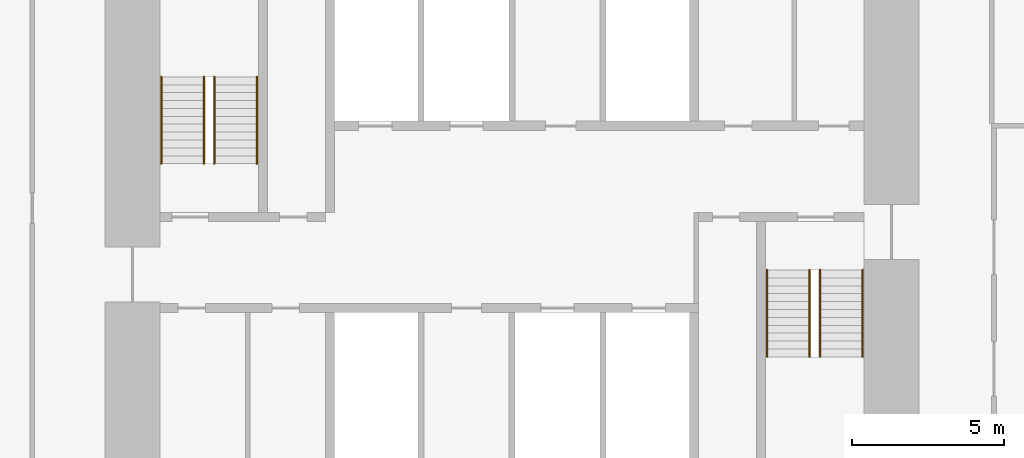
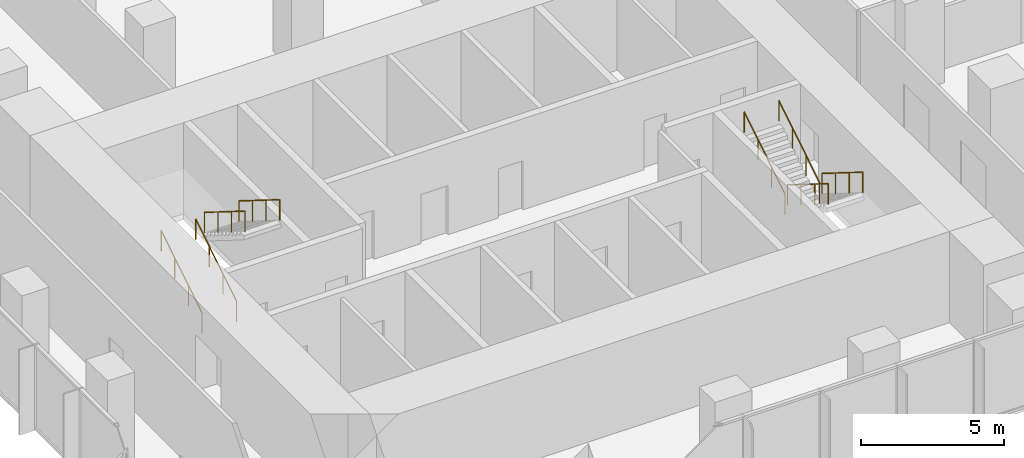
# One storey, part 11 of 11: 8 railings.
"""IFC4 building model written with IfcOpenShell, lengths in metres."""

from ifc_helpers import new_model, si_unit, direction, frame, origin, origin_2d, place, context, subcontext, project, spatial, circle, extrude, material, type_object, element, save


model = new_model("IFC4")

# Units and contexts
model_context = context("Model", 3, precision=1e-05, world=origin(), true_north=direction((0.0, 1.0)))
body_context = subcontext(model_context, "Body", "Model", "MODEL_VIEW")
ifc_project = project(units=[si_unit("LENGTHUNIT", "METRE"), si_unit("AREAUNIT", "SQUARE_METRE"), si_unit("VOLUMEUNIT", "CUBIC_METRE"), si_unit("PLANEANGLEUNIT", "RADIAN"), si_unit("MASSUNIT", "GRAM", prefix="KILO")], contexts=[model_context])

# Site, building, storey
site_placement = place(None, origin())
site = spatial("IfcSite", under=ifc_project, at=site_placement, CompositionType="ELEMENT")
building_placement = place(site_placement, origin())
building = spatial("IfcBuilding", under=site, at=building_placement, Name="Highveld Stack Headquarters", CompositionType="ELEMENT")
storey_placement = place(building_placement, frame((0.0, 0.0, 169.39990234375)))
storey = spatial("IfcBuildingStorey", under=building, at=storey_placement, Name="L41", CompositionType="ELEMENT", Elevation=169.39990234375)

# Railings
ifc_material = material(Name="Stainless steel handrail", Category="steel")
railing_type = type_object("IfcRailingType", Name="STAIR HANDRAIL HR1 900", PredefinedType="HANDRAIL", material=ifc_material)
for number, where, name in (
    (1, (-5.550048828125, 4.75, 0.16259765625), "Handrail S1 L41 flight 1"),
    (2, (-4.14990234375, 4.75, 0.16259765625), "Handrail S1 L41 flight 1"),
):
    element("IfcRailing", number, at=place(storey_placement, frame(where)), inside=storey, type_object=railing_type, Name=name, PredefinedType="HANDRAIL", context=body_context, shape_type="SweptSolid", body=[
        extrude(circle(Radius=0.02392578125, at=origin_2d()), frame((0.0, 0.0, 0.8759765625), z_axis=(0.0, 0.847994237388, 0.530005446535), x_axis=(-1.0, 0.0, 0.0)), (0.0, 0.0, 1.0), 3.372802734375),
        extrude(circle(Radius=0.02099609375, at=origin_2d()), origin(), (0.0, 0.0, 1.0), 0.851806640625),
        extrude(circle(Radius=0.02099609375, at=origin_2d()), frame((0.0, 0.953369140625, 0.595947265625)), (0.0, 0.0, 1.0), 0.851806640625),
        extrude(circle(Radius=0.02099609375, at=origin_2d()), frame((0.0, 1.90673828125, 1.191650390625)), (0.0, 0.0, 1.0), 0.851806640625),
        extrude(circle(Radius=0.02099609375, at=origin_2d()), frame((0.0, 2.860107421875, 1.78759765625)), (0.0, 0.0, 1.0), 0.851806640625),
    ])
for number, where, name in (
    (3, (-3.800048828125, 7.610107421875, 2.112548828125), "Handrail S1 L41 flight 2"),
    (4, (-2.39990234375, 7.610107421875, 2.112548828125), "Handrail S1 L41 flight 2"),
    (5, (16.14990234375, 1.25, 0.16259765625), "Handrail S2 L41 flight 1"),
    (6, (17.550048828125, 1.25, 0.16259765625), "Handrail S2 L41 flight 1"),
):
    element("IfcRailing", number, at=place(storey_placement, frame(where)), inside=storey, type_object=railing_type, Name=name, PredefinedType="HANDRAIL", context=body_context, shape_type="SweptSolid", body=[
        extrude(circle(Radius=0.02392578125, at=origin_2d()), frame((0.0, 0.0, 0.8759765625), z_axis=(0.0, -0.847994237388, 0.530005446535), x_axis=(1.0, 0.0, 0.0)), (0.0, 0.0, 1.0), 3.372802734375),
        extrude(circle(Radius=0.02099609375, at=origin_2d()), origin(), (0.0, 0.0, 1.0), 0.851806640625),
        extrude(circle(Radius=0.02099609375, at=origin_2d()), frame((0.0, -0.953369140625, 0.595947265625)), (0.0, 0.0, 1.0), 0.851806640625),
        extrude(circle(Radius=0.02099609375, at=origin_2d()), frame((0.0, -1.90673828125, 1.191650390625)), (0.0, 0.0, 1.0), 0.851806640625),
        extrude(circle(Radius=0.02099609375, at=origin_2d()), frame((0.0, -2.860107421875, 1.78759765625)), (0.0, 0.0, 1.0), 0.851806640625),
    ])
for number, where, name in (
    (7, (14.39990234375, -1.610107421875, 2.112548828125), "Handrail S2 L41 flight 2"),
    (8, (15.800048828125, -1.610107421875, 2.112548828125), "Handrail S2 L41 flight 2"),
):
    element("IfcRailing", number, at=place(storey_placement, frame(where)), inside=storey, type_object=railing_type, Name=name, PredefinedType="HANDRAIL", context=body_context, shape_type="SweptSolid", body=[
        extrude(circle(Radius=0.02392578125, at=origin_2d()), frame((0.0, 0.0, 0.8759765625), z_axis=(0.0, 0.847994237388, 0.530005446535), x_axis=(-1.0, 0.0, 0.0)), (0.0, 0.0, 1.0), 3.372802734375),
        extrude(circle(Radius=0.02099609375, at=origin_2d()), origin(), (0.0, 0.0, 1.0), 0.851806640625),
        extrude(circle(Radius=0.02099609375, at=origin_2d()), frame((0.0, 0.953369140625, 0.595947265625)), (0.0, 0.0, 1.0), 0.851806640625),
        extrude(circle(Radius=0.02099609375, at=origin_2d()), frame((0.0, 1.90673828125, 1.191650390625)), (0.0, 0.0, 1.0), 0.851806640625),
        extrude(circle(Radius=0.02099609375, at=origin_2d()), frame((0.0, 2.860107421875, 1.78759765625)), (0.0, 0.0, 1.0), 0.851806640625),
    ])

save(model, "model.ifc")
